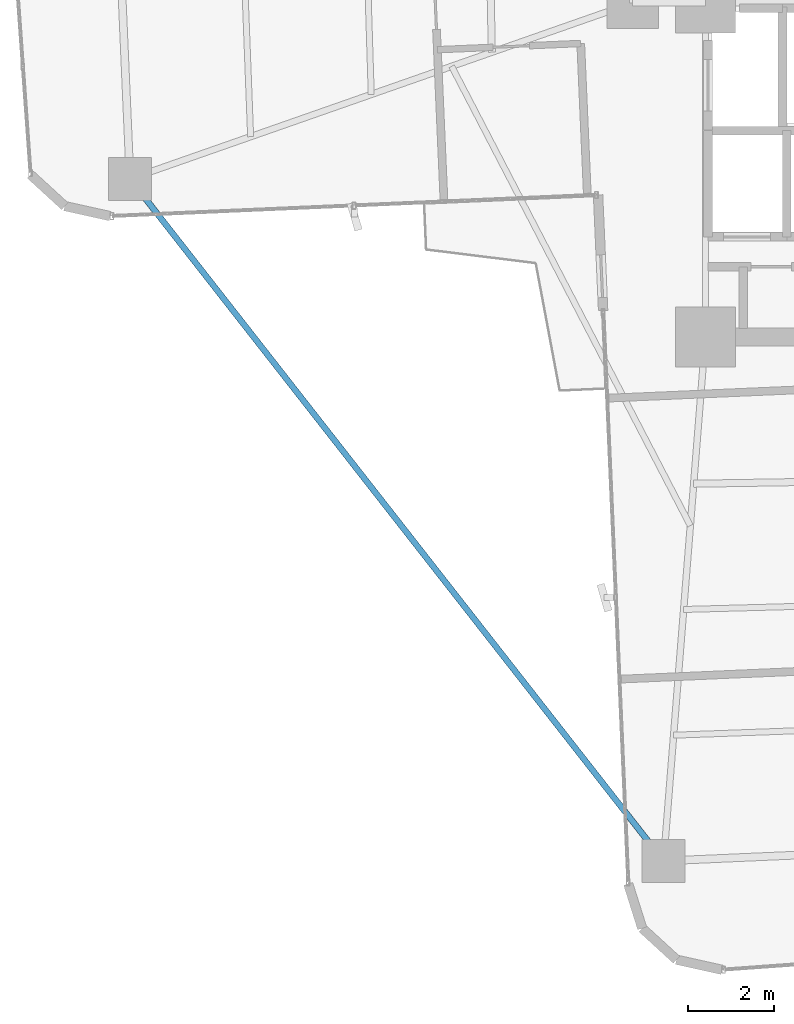
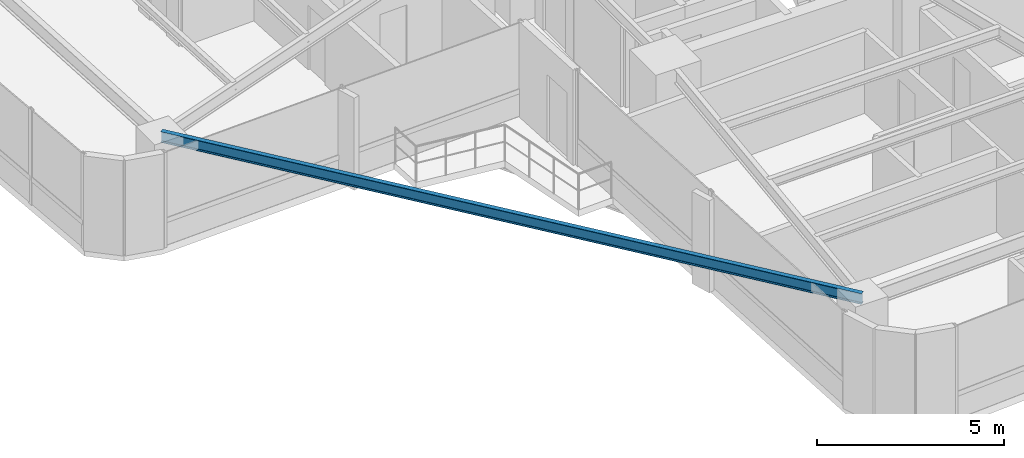
# One storey, part 3 of 26: 1 beam.
"""IFC4 building model written with IfcOpenShell, lengths in metres."""

from ifc_helpers import new_model, si_unit, direction, frame, origin, origin_2d, place, context, subcontext, project, spatial, i_section, extrude, source, transform, mapped, material, material_profile, profile_set, type_object, element, save


model = new_model("IFC4")

# Units and contexts
model_context = context("Model", 3, precision=1e-05, world=origin(), true_north=direction((0.0, 1.0)))
body_context = subcontext(model_context, "Body", "Model", "MODEL_VIEW")
ifc_project = project(units=[si_unit("LENGTHUNIT", "METRE"), si_unit("AREAUNIT", "SQUARE_METRE"), si_unit("VOLUMEUNIT", "CUBIC_METRE"), si_unit("PLANEANGLEUNIT", "RADIAN"), si_unit("MASSUNIT", "GRAM", prefix="KILO")], contexts=[model_context])

# Site, building, storey
site_placement = place(None, origin())
site = spatial("IfcSite", under=ifc_project, at=site_placement, CompositionType="ELEMENT")
building_placement = place(site_placement, origin())
building = spatial("IfcBuilding", under=site, at=building_placement, Name="Sahyath Konkavel Grand Hotel", CompositionType="ELEMENT")
storey_placement = place(building_placement, frame((0.0, 0.0, 96.89990234375)))
storey = spatial("IfcBuildingStorey", under=building, at=storey_placement, Name="L26", CompositionType="ELEMENT", Elevation=96.89990234375)

# Beam
ifc_material = material(Name="Steel E350", Category="steel")
ifc_material_profile = material_profile(ifc_material, i_section(OverallWidth=0.139892578125, OverallDepth=0.35009765625, WebThickness=0.008056640625, FlangeThickness=0.01416015625, FilletRadius=0.013916015625, at=origin_2d()), Name="ISMB 350")
ifc_profile_set = profile_set([ifc_material_profile], Name="Steel E350")
beam_type = type_object("IfcBeamType", Name="BM-ISMB350", PredefinedType="BEAM", material=ifc_profile_set)
shared_shape = source(origin(), body_context, "Body", "SweptSolid", [
    extrude(i_section(OverallWidth=0.139892578125, OverallDepth=0.35009765625, WebThickness=0.008056640625, FlangeThickness=0.01416015625, FilletRadius=0.013916015625, at=origin_2d()), origin(), (0.0, 0.0, 1.0), 20.215576171875),
])
beam_placement = place(storey_placement, frame((-17.232421875, -6.5078125, 2.93505859375), z_axis=(0.616176369687, -0.787608203004, 0.0), x_axis=(0.787608203004, 0.616176369687, 0.0)))
element("IfcBeam", 1, at=beam_placement, inside=storey, type_object=beam_type, Name="L26 Re-Entrant Tie Beam SW", PredefinedType="BEAM", context=body_context, shape_type="MappedRepresentation", body=[
    mapped(shared_shape, transform((0.0, 0.0, 0.0), scale=1.0)),
])

save(model, "model.ifc")
